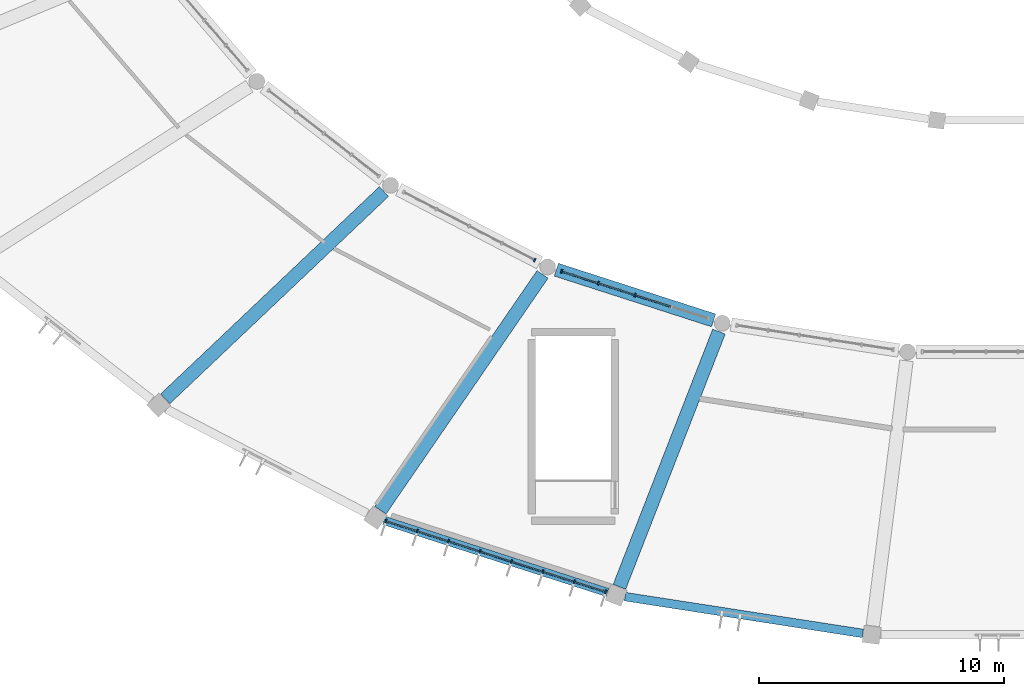
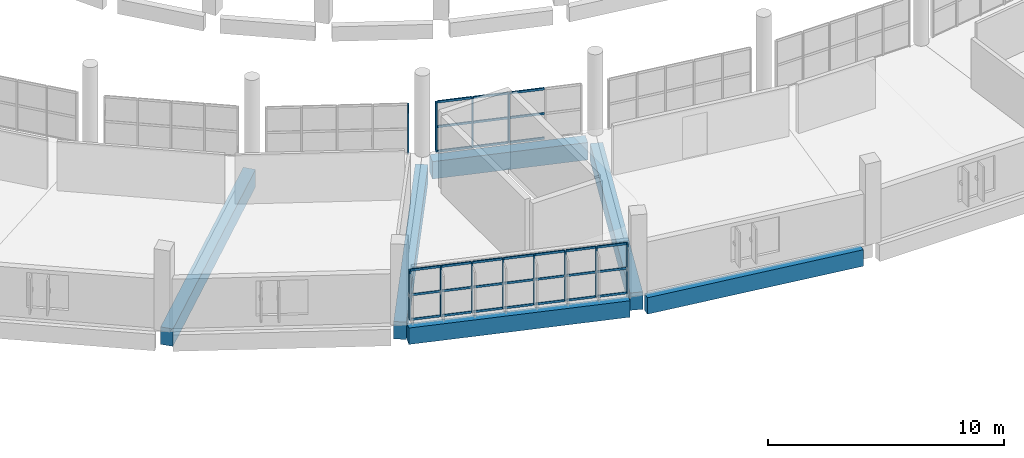
# One storey, part 12 of 142: 42 members, 6 beams, 3 elements without a shape of their own.
"""IFC4 building model written with IfcOpenShell, lengths in metres."""

import ifcopenshell
import ifcopenshell.guid

model = None  # the IFC model being written
_history = None  # IfcOwnerHistory: only IFC2X3 demands one
_inside = {}  # id of a spatial element -> (the spatial element, [elements in it])
_under = {}  # id of a project, library or spatial element -> (it, [spatial elements below it])
_declared = {}  # id of a project -> (the project, [libraries it declares])
_typed = {}  # id of a type object -> (the type object, [elements of that type])
_made_of = {}  # id of a material, layer set ... -> (it, [elements and type objects made of it])


def new_model(schema):
    """Start an empty IFC model of exactly this schema.

    Asked for "IFC4X3", IfcOpenShell would pick the latest addendum, in which some entities
    have other attributes; the version numbers below select the first issue.
    IFC2X3 requires an IfcOwnerHistory on every rooted entity: one is made here for all.
    """
    global model, _history
    if schema == "IFC4X3":
        model = ifcopenshell.file(schema_version=(4, 3, 0, 0))
    else:
        model = ifcopenshell.file(schema=schema)
    _inside.clear()
    _under.clear()
    _declared.clear()
    _typed.clear()
    _made_of.clear()
    _history = None
    if model.schema == "IFC2X3":
        org = make("IfcOrganization", Name="unknown")
        user = make(
            "IfcPersonAndOrganization",
            ThePerson=make("IfcPerson", FamilyName="unknown"),
            TheOrganization=org,
        )
        app = make(
            "IfcApplication",
            ApplicationDeveloper=org,
            Version="unknown",
            ApplicationFullName="unknown",
            ApplicationIdentifier="unknown",
        )
        _history = make(
            "IfcOwnerHistory",
            OwningUser=user,
            OwningApplication=app,
            ChangeAction="ADDED",
            CreationDate=0,
        )
    return model


def make(cls, **values):
    """One entity of the class cls with the attributes given. An attribute that is None is left unset."""
    return model.create_entity(
        cls, **{name: value for name, value in values.items() if value is not None}
    )


def rooted(cls, **values):
    """An entity with a GlobalId (a new one), such as an element, a storey or a relation."""
    return make(cls, GlobalId=ifcopenshell.guid.new(), OwnerHistory=_history, **values)


def si_unit(unit_type, name, prefix=None):
    """IfcSIUnit, for example si_unit("LENGTHUNIT", "METRE", prefix="MILLI")."""
    return make("IfcSIUnit", UnitType=unit_type, Prefix=prefix, Name=name)


def assignment(units):
    """IfcUnitAssignment: the units of a project."""
    return None if units is None else make("IfcUnitAssignment", Units=units)


def point(xyz):
    """IfcCartesianPoint."""
    return None if xyz is None else make("IfcCartesianPoint", Coordinates=xyz)


def direction(xyz):
    """IfcDirection."""
    return None if xyz is None else make("IfcDirection", DirectionRatios=xyz)


def frame(location, z_axis=None, x_axis=None):
    """IfcAxis2Placement3D, a coordinate frame: its origin and axes. An axis left out is left unset."""
    return make(
        "IfcAxis2Placement3D",
        Location=point(location),
        Axis=direction(z_axis),
        RefDirection=direction(x_axis),
    )


def frame_2d(location, x_axis=None):
    """IfcAxis2Placement2D, a coordinate frame in the plane: its origin and x axis."""
    return make(
        "IfcAxis2Placement2D", Location=point(location), RefDirection=direction(x_axis)
    )


def origin():
    """The frame at (0, 0, 0) with its axes left unset."""
    return frame((0.0, 0.0, 0.0))


def origin_2d():
    """The frame at (0, 0) in the plane with its x axis left unset."""
    return frame_2d((0.0, 0.0))


def place(relative_to, where):
    """IfcLocalPlacement: puts the frame where relative to a parent placement (None: the world)."""
    return make(
        "IfcLocalPlacement", PlacementRelTo=relative_to, RelativePlacement=where
    )


def context(
    kind, dimensions, precision=None, world=None, true_north=None, identifier=None
):
    """IfcGeometricRepresentationContext, for example the 3D "Model" context."""
    return make(
        "IfcGeometricRepresentationContext",
        ContextIdentifier=identifier,
        ContextType=kind,
        CoordinateSpaceDimension=dimensions,
        Precision=precision,
        WorldCoordinateSystem=world,
        TrueNorth=true_north,
    )


def subcontext(parent, identifier, kind, view, scale=None):
    """IfcGeometricRepresentationSubContext, for example "Body" below "Model"."""
    return make(
        "IfcGeometricRepresentationSubContext",
        ContextIdentifier=identifier,
        ContextType=kind,
        ParentContext=parent,
        TargetScale=scale,
        TargetView=view,
    )


def project(units=None, contexts=None):
    """IfcProject with its units and contexts."""
    return rooted(
        "IfcProject",
        Name="project",
        RepresentationContexts=contexts,
        UnitsInContext=assignment(units),
    )


def spatial(cls, under=None, at=None, **own):
    """A site, building, storey or space (cls), placed at a placement, below another one or the project."""
    s = rooted(cls, ObjectPlacement=at, **own)
    if under is not None:
        _under.setdefault(under.id(), (under, []))[1].append(s)
    return s


def profile(cls, at=None, kind="AREA", **sizes):
    """A parametric profile (cls). Its sizes go by their IFC names, for example OverallWidth=200.0."""
    return make(cls, ProfileType=kind, Position=at, **sizes)


def rectangle(**sizes):
    """IfcRectangleProfileDef."""
    return profile("IfcRectangleProfileDef", **sizes)


def extrude(swept, where, along, depth):
    """IfcExtrudedAreaSolid: the profile swept, set in the frame where, extruded along a direction by depth."""
    return make(
        "IfcExtrudedAreaSolid",
        SweptArea=swept,
        Position=where,
        ExtrudedDirection=direction(along),
        Depth=depth,
    )


def shape(context_of_items, identifier, shape_type, items):
    """IfcShapeRepresentation: the items that make up one representation, for example the "Body"."""
    return make(
        "IfcShapeRepresentation",
        ContextOfItems=context_of_items,
        RepresentationIdentifier=identifier,
        RepresentationType=shape_type,
        Items=items,
    )


def material(Name=None, Category=None):
    """IfcMaterial."""
    return make("IfcMaterial", Name=Name, Category=Category)


def layer(
    of_material, thickness, ventilated=None, Name=None, Category=None, Priority=None
):
    """IfcMaterialLayer: one layer of a wall or slab, of a material (None: an air gap)."""
    return make(
        "IfcMaterialLayer",
        Material=of_material,
        LayerThickness=thickness,
        IsVentilated=ventilated,
        Name=Name,
        Category=Category,
        Priority=Priority,
    )


def layer_set(layers, Name=None):
    """IfcMaterialLayerSet."""
    return make("IfcMaterialLayerSet", MaterialLayers=layers, LayerSetName=Name)


def material_profile(
    of_material, cross_section, Name=None, Category=None, Priority=None
):
    """IfcMaterialProfile: a cross section and its material."""
    return make(
        "IfcMaterialProfile",
        Name=Name,
        Material=of_material,
        Profile=cross_section,
        Priority=Priority,
        Category=Category,
    )


def profile_set(profiles, Name=None, composite=None):
    """IfcMaterialProfileSet."""
    return make(
        "IfcMaterialProfileSet",
        Name=Name,
        MaterialProfiles=profiles,
        CompositeProfile=composite,
    )


def made_of(thing, what):
    """Note that an element or type object is made of a material, layer set ...; save() writes the relation."""
    if what is not None:
        _made_of.setdefault(what.id(), (what, []))[1].append(thing)
    return thing


def type_object(cls, material=None, **own):
    """A type object (cls), such as IfcWallType, which elements share."""
    return made_of(rooted(cls, **own), material)


def element(
    cls,
    number,
    at=None,
    inside=None,
    cuts=None,
    type_object=None,
    material=None,
    context=None,
    identifier="Body",
    shape_type=None,
    held_by="IfcProductDefinitionShape",
    body=None,
    shapes=None,
    **own,
):
    """One element of the class cls, such as IfcWall. Its Tag is "e" and its number.

    at: its placement. inside: the storey or other place that contains it. cuts: it is an
    opening in that element (IfcRelVoidsElement). A single representation is given by context,
    identifier, shape_type and body (its items); several are given by shapes. held_by: the class
    of the entity that holds the representations. save() writes the other relations.
    """
    e = rooted(cls, Tag="e%d" % number, ObjectPlacement=at, **own)
    if body is not None:
        shapes = [shape(context, identifier, shape_type, body)]
    if shapes is not None:
        e.Representation = make(held_by, Representations=shapes)
    if inside is not None:
        _inside.setdefault(inside.id(), (inside, []))[1].append(e)
    if cuts is not None:
        rooted(
            "IfcRelVoidsElement", RelatingBuildingElement=cuts, RelatedOpeningElement=e
        )
    if type_object is not None:
        _typed.setdefault(type_object.id(), (type_object, []))[1].append(e)
    return made_of(e, material)


def aggregate(whole, parts):
    """IfcRelAggregates: a whole, such as a stair, and the parts it consists of."""
    return rooted("IfcRelAggregates", RelatingObject=whole, RelatedObjects=parts)


def save(model, path):
    """Write the relations noted so far, then the file.

    IfcRelAggregates (storeys below a building ...), IfcRelContainedInSpatialStructure (elements
    in a storey), IfcRelDefinesByType, IfcRelAssociatesMaterial and IfcRelDeclares: one each for
    every whole, place, type object, material and project.
    """
    for whole, parts in _under.values():
        aggregate(whole, parts)
    for where, things in _inside.values():
        rooted(
            "IfcRelContainedInSpatialStructure",
            RelatedElements=things,
            RelatingStructure=where,
        )
    for kind, things in _typed.values():
        rooted("IfcRelDefinesByType", RelatedObjects=things, RelatingType=kind)
    for what, things in _made_of.values():
        rooted("IfcRelAssociatesMaterial", RelatedObjects=things, RelatingMaterial=what)
    for by, libraries in _declared.values():
        rooted("IfcRelDeclares", RelatingContext=by, RelatedDefinitions=libraries)
    model.write(path)


model = new_model("IFC4")

# Units and contexts
model_context = context("Model", 3, precision=1e-05, world=origin(), true_north=direction((0.0, 1.0)))
body_context = subcontext(model_context, "Body", "Model", "MODEL_VIEW")
ifc_project = project(units=[si_unit("LENGTHUNIT", "METRE"), si_unit("AREAUNIT", "SQUARE_METRE"), si_unit("VOLUMEUNIT", "CUBIC_METRE"), si_unit("PLANEANGLEUNIT", "RADIAN"), si_unit("MASSUNIT", "GRAM", prefix="KILO")], contexts=[model_context])

# Site, building, storey
site_placement = place(None, origin())
site = spatial("IfcSite", under=ifc_project, at=site_placement, CompositionType="ELEMENT")
building_placement = place(site_placement, origin())
building = spatial("IfcBuilding", under=site, at=building_placement, Name="Corvandel Quay Wholesale Market", CompositionType="ELEMENT")
storey_placement = place(building_placement, frame((0.0, 0.0, 10.800048828125)))
storey = spatial("IfcBuildingStorey", under=building, at=storey_placement, Name="L02", CompositionType="ELEMENT", Elevation=10.800048828125)

# Curtain wall, member
ifc_material_1 = material(Name="Bronze anodised aluminium and low-E insulated glazing", Category="aluminium")
ifc_layer_1 = layer(ifc_material_1, 0.197998046875)
ifc_layer_set_1 = layer_set([ifc_layer_1], Name="Bronze anodised aluminium and low-E insulated glazing")
curtain_wall_type_1 = type_object("IfcCurtainWallType", Name="Stick Curtain Wall System CW14 H4260", PredefinedType="NOTDEFINED", material=ifc_layer_set_1)
curtain_wall_1_placement = place(storey_placement, origin())
curtain_wall_1 = element("IfcCurtainWall", 1, at=curtain_wall_1_placement, inside=storey, type_object=curtain_wall_type_1, Name="Curtain Wall CW-0062", PredefinedType="NOTDEFINED")
ifc_material_2 = material(Name="Anodised aluminium 6063-T6", Category="aluminium")
ifc_material_profile_1 = material_profile(ifc_material_2, rectangle(XDim=0.06494140625, YDim=0.14990234375, at=origin_2d()), Name="ALU-MUL-65x150")
ifc_profile_set_1 = profile_set([ifc_material_profile_1], Name="Anodised aluminium 6063-T6")
member_type_1 = type_object("IfcMemberType", Name="Curtain Wall Mullion ML02 65x150", PredefinedType="MULLION", material=ifc_profile_set_1)
member_1_placement = place(storey_placement, frame((94.923583984375, 15.29248046875, 0.0), z_axis=(0.0, 0.0, 1.0), x_axis=(-0.887332978338, 0.461129250378, 0.0)))
member_1 = element("IfcMember", 2, at=member_1_placement, type_object=member_type_1, Name="Mullion CW-0062-M04", PredefinedType="MULLION", context=body_context, shape_type="SweptSolid", body=[
    extrude(rectangle(XDim=0.06494140625, YDim=0.14990234375, at=origin_2d()), origin(), (0.0, 0.0, 1.0), 2.550048828125),
])
aggregate(curtain_wall_1, [member_1])

# Curtain wall, members
ifc_layer_2 = layer(ifc_material_1, 0.174072265625)
ifc_layer_set_2 = layer_set([ifc_layer_2], Name="Bronze anodised aluminium and low-E insulated glazing")
curtain_wall_type_2 = type_object("IfcCurtainWallType", Name="Stick Curtain Wall System CW02 H3180", PredefinedType="NOTDEFINED", material=ifc_layer_set_2)
curtain_wall_2_placement = place(storey_placement, origin())
curtain_wall_2 = element("IfcCurtainWall", 3, at=curtain_wall_2_placement, inside=storey, type_object=curtain_wall_type_2, Name="Curtain Wall CW-0063", PredefinedType="NOTDEFINED")
member_2_placement = place(storey_placement, frame((88.849365234375, 4.64208984375, 0.0), z_axis=(0.0, 0.0, 1.0), x_axis=(-0.951808747363, 0.306692204733, 0.0)))
member_2 = element("IfcMember", 4, at=member_2_placement, type_object=member_type_1, Name="Mullion CW-0063-M00", PredefinedType="MULLION", context=body_context, shape_type="SweptSolid", body=[
    extrude(rectangle(XDim=0.06494140625, YDim=0.14990234375, at=origin_2d()), origin(), (0.0, 0.0, 1.0), 2.550048828125),
])
member_3_placement = place(storey_placement, frame((90.130859375, 4.22900390625, 0.0), z_axis=(0.0, 0.0, 1.0), x_axis=(-0.951808747363, 0.306692204733, 0.0)))
member_3 = element("IfcMember", 5, at=member_3_placement, type_object=member_type_1, Name="Mullion CW-0063-M01", PredefinedType="MULLION", context=body_context, shape_type="SweptSolid", body=[
    extrude(rectangle(XDim=0.06494140625, YDim=0.14990234375, at=origin_2d()), origin(), (0.0, 0.0, 1.0), 2.550048828125),
])
member_4_placement = place(storey_placement, frame((91.41259765625, 3.81640625, 0.0), z_axis=(0.0, 0.0, 1.0), x_axis=(-0.951808747363, 0.306692204733, 0.0)))
member_4 = element("IfcMember", 6, at=member_4_placement, type_object=member_type_1, Name="Mullion CW-0063-M02", PredefinedType="MULLION", context=body_context, shape_type="SweptSolid", body=[
    extrude(rectangle(XDim=0.06494140625, YDim=0.14990234375, at=origin_2d()), origin(), (0.0, 0.0, 1.0), 2.550048828125),
])
member_5_placement = place(storey_placement, frame((92.694091796875, 3.4033203125, 0.0), z_axis=(0.0, 0.0, 1.0), x_axis=(-0.951808747363, 0.306692204733, 0.0)))
member_5 = element("IfcMember", 7, at=member_5_placement, type_object=member_type_1, Name="Mullion CW-0063-M03", PredefinedType="MULLION", context=body_context, shape_type="SweptSolid", body=[
    extrude(rectangle(XDim=0.06494140625, YDim=0.14990234375, at=origin_2d()), origin(), (0.0, 0.0, 1.0), 2.550048828125),
])
member_6_placement = place(storey_placement, frame((93.975830078125, 2.990478515625, 0.0), z_axis=(0.0, 0.0, 1.0), x_axis=(-0.951808747363, 0.306692204733, 0.0)))
member_6 = element("IfcMember", 8, at=member_6_placement, type_object=member_type_1, Name="Mullion CW-0063-M04", PredefinedType="MULLION", context=body_context, shape_type="SweptSolid", body=[
    extrude(rectangle(XDim=0.06494140625, YDim=0.14990234375, at=origin_2d()), origin(), (0.0, 0.0, 1.0), 2.550048828125),
])
member_7_placement = place(storey_placement, frame((95.25732421875, 2.57763671875, 0.0), z_axis=(0.0, 0.0, 1.0), x_axis=(-0.951808747363, 0.306692204733, 0.0)))
member_7 = element("IfcMember", 9, at=member_7_placement, type_object=member_type_1, Name="Mullion CW-0063-M05", PredefinedType="MULLION", context=body_context, shape_type="SweptSolid", body=[
    extrude(rectangle(XDim=0.06494140625, YDim=0.14990234375, at=origin_2d()), origin(), (0.0, 0.0, 1.0), 2.550048828125),
])
member_8_placement = place(storey_placement, frame((96.5390625, 2.164794921875, 0.0), z_axis=(0.0, 0.0, 1.0), x_axis=(-0.951808747363, 0.306692204733, 0.0)))
member_8 = element("IfcMember", 10, at=member_8_placement, type_object=member_type_1, Name="Mullion CW-0063-M06", PredefinedType="MULLION", context=body_context, shape_type="SweptSolid", body=[
    extrude(rectangle(XDim=0.06494140625, YDim=0.14990234375, at=origin_2d()), origin(), (0.0, 0.0, 1.0), 2.550048828125),
])
member_9_placement = place(storey_placement, frame((97.82080078125, 1.751953125, 0.0), z_axis=(0.0, 0.0, 1.0), x_axis=(-0.951808747363, 0.306692204733, 0.0)))
member_9 = element("IfcMember", 11, at=member_9_placement, type_object=member_type_1, Name="Mullion CW-0063-M07", PredefinedType="MULLION", context=body_context, shape_type="SweptSolid", body=[
    extrude(rectangle(XDim=0.06494140625, YDim=0.14990234375, at=origin_2d()), origin(), (0.0, 0.0, 1.0), 2.550048828125),
])

ifc_layer_3 = layer(ifc_material_1, 0.14990234375)
ifc_layer_set_3 = layer_set([ifc_layer_3], Name="Bronze anodised aluminium and low-E insulated glazing")
curtain_wall_type_3 = type_object("IfcCurtainWallType", Name="Stick Curtain Wall System CW15 H4350", PredefinedType="NOTDEFINED", material=ifc_layer_set_3)
curtain_wall_3_placement = place(storey_placement, origin())
curtain_wall_3 = element("IfcCurtainWall", 12, at=curtain_wall_3_placement, inside=storey, type_object=curtain_wall_type_3, Name="Curtain Wall CW-0065", PredefinedType="NOTDEFINED")
member_10_placement = place(storey_placement, frame((96.027099609375, 14.83203125, 0.0), z_axis=(0.0, 0.0, 1.0), x_axis=(-0.951808747363, 0.306692204733, 0.0)))
member_10 = element("IfcMember", 13, at=member_10_placement, type_object=member_type_1, Name="Mullion CW-0065-M00", PredefinedType="MULLION", context=body_context, shape_type="SweptSolid", body=[
    extrude(rectangle(XDim=0.06494140625, YDim=0.14990234375, at=origin_2d()), origin(), (0.0, 0.0, 1.0), 2.550048828125),
])
member_11_placement = place(storey_placement, frame((97.5224609375, 14.35009765625, 0.0), z_axis=(0.0, 0.0, 1.0), x_axis=(-0.951808747363, 0.306692204733, 0.0)))
member_11 = element("IfcMember", 14, at=member_11_placement, type_object=member_type_1, Name="Mullion CW-0065-M01", PredefinedType="MULLION", context=body_context, shape_type="SweptSolid", body=[
    extrude(rectangle(XDim=0.06494140625, YDim=0.14990234375, at=origin_2d()), origin(), (0.0, 0.0, 1.0), 2.550048828125),
])
member_12_placement = place(storey_placement, frame((99.01806640625, 13.867919921875, 0.0), z_axis=(0.0, 0.0, 1.0), x_axis=(-0.951808747363, 0.306692204733, 0.0)))
member_12 = element("IfcMember", 15, at=member_12_placement, type_object=member_type_1, Name="Mullion CW-0065-M02", PredefinedType="MULLION", context=body_context, shape_type="SweptSolid", body=[
    extrude(rectangle(XDim=0.06494140625, YDim=0.14990234375, at=origin_2d()), origin(), (0.0, 0.0, 1.0), 2.550048828125),
])

# Member
ifc_material_profile_2 = material_profile(ifc_material_2, rectangle(XDim=0.06005859375, YDim=0.110107421875, at=origin_2d()), Name="ALU-TRN-60x110")
ifc_profile_set_2 = profile_set([ifc_material_profile_2], Name="Anodised aluminium 6063-T6")
member_type_2 = type_object("IfcMemberType", Name="Curtain Wall Transom TR02 60x110", PredefinedType="USERDEFINED", material=ifc_profile_set_2)
member_13_placement = place(storey_placement, frame((88.880126953125, 4.632080078125, 0.0), z_axis=(0.951816275038, -0.306668841867, 0.0), x_axis=(0.306668841867, 0.951816275038, 0.0)))
member_13 = element("IfcMember", 16, at=member_13_placement, type_object=member_type_2, Name="Transom CW-0063-T00-0", ObjectType="TRANSOM", PredefinedType="USERDEFINED", context=body_context, shape_type="SweptSolid", body=[
    extrude(rectangle(XDim=0.06005859375, YDim=0.110107421875, at=origin_2d()), origin(), (0.0, 0.0, 1.0), 1.28173828125),
])

member_14_placement = place(storey_placement, frame((88.880126953125, 4.632080078125, 1.27490234375), z_axis=(0.951816275038, -0.306668841867, 0.0), x_axis=(0.306668841867, 0.951816275038, 0.0)))
member_14 = element("IfcMember", 17, at=member_14_placement, type_object=member_type_2, Name="Transom CW-0063-T00-1", ObjectType="TRANSOM", PredefinedType="USERDEFINED", context=body_context, shape_type="SweptSolid", body=[
    extrude(rectangle(XDim=0.06005859375, YDim=0.110107421875, at=origin_2d()), origin(), (0.0, 0.0, 1.0), 1.28173828125),
])

member_15_placement = place(storey_placement, frame((88.880126953125, 4.632080078125, 2.550048828125), z_axis=(0.951816275038, -0.306668841867, 0.0), x_axis=(0.306668841867, 0.951816275038, 0.0)))
member_15 = element("IfcMember", 18, at=member_15_placement, type_object=member_type_2, Name="Transom CW-0063-T00-2", ObjectType="TRANSOM", PredefinedType="USERDEFINED", context=body_context, shape_type="SweptSolid", body=[
    extrude(rectangle(XDim=0.06005859375, YDim=0.110107421875, at=origin_2d()), origin(), (0.0, 0.0, 1.0), 1.28173828125),
])

member_16_placement = place(storey_placement, frame((90.161865234375, 4.21923828125, 0.0), z_axis=(0.951853962221, -0.30655184652, 0.0), x_axis=(0.30655184652, 0.951853962221, 0.0)))
member_16 = element("IfcMember", 19, at=member_16_placement, type_object=member_type_2, Name="Transom CW-0063-T01-0", ObjectType="TRANSOM", PredefinedType="USERDEFINED", context=body_context, shape_type="SweptSolid", body=[
    extrude(rectangle(XDim=0.06005859375, YDim=0.110107421875, at=origin_2d()), origin(), (0.0, 0.0, 1.0), 1.281494140625),
])

member_17_placement = place(storey_placement, frame((90.161865234375, 4.21923828125, 1.27490234375), z_axis=(0.951853962221, -0.30655184652, 0.0), x_axis=(0.30655184652, 0.951853962221, 0.0)))
member_17 = element("IfcMember", 20, at=member_17_placement, type_object=member_type_2, Name="Transom CW-0063-T01-1", ObjectType="TRANSOM", PredefinedType="USERDEFINED", context=body_context, shape_type="SweptSolid", body=[
    extrude(rectangle(XDim=0.06005859375, YDim=0.110107421875, at=origin_2d()), origin(), (0.0, 0.0, 1.0), 1.281494140625),
])

member_18_placement = place(storey_placement, frame((90.161865234375, 4.21923828125, 2.550048828125), z_axis=(0.951853962221, -0.30655184652, 0.0), x_axis=(0.30655184652, 0.951853962221, 0.0)))
member_18 = element("IfcMember", 21, at=member_18_placement, type_object=member_type_2, Name="Transom CW-0063-T01-2", ObjectType="TRANSOM", PredefinedType="USERDEFINED", context=body_context, shape_type="SweptSolid", body=[
    extrude(rectangle(XDim=0.06005859375, YDim=0.110107421875, at=origin_2d()), origin(), (0.0, 0.0, 1.0), 1.281494140625),
])

member_19_placement = place(storey_placement, frame((91.443603515625, 3.806396484375, 0.0), z_axis=(0.951798356557, -0.306724450372, 0.0), x_axis=(0.306724450372, 0.951798356557, 0.0)))
member_19 = element("IfcMember", 22, at=member_19_placement, type_object=member_type_2, Name="Transom CW-0063-T02-0", ObjectType="TRANSOM", PredefinedType="USERDEFINED", context=body_context, shape_type="SweptSolid", body=[
    extrude(rectangle(XDim=0.06005859375, YDim=0.110107421875, at=origin_2d()), origin(), (0.0, 0.0, 1.0), 1.281494140625),
])

member_20_placement = place(storey_placement, frame((91.443603515625, 3.806396484375, 1.27490234375), z_axis=(0.951798356557, -0.306724450372, 0.0), x_axis=(0.306724450372, 0.951798356557, 0.0)))
member_20 = element("IfcMember", 23, at=member_20_placement, type_object=member_type_2, Name="Transom CW-0063-T02-1", ObjectType="TRANSOM", PredefinedType="USERDEFINED", context=body_context, shape_type="SweptSolid", body=[
    extrude(rectangle(XDim=0.06005859375, YDim=0.110107421875, at=origin_2d()), origin(), (0.0, 0.0, 1.0), 1.281494140625),
])

member_21_placement = place(storey_placement, frame((91.443603515625, 3.806396484375, 2.550048828125), z_axis=(0.951798356557, -0.306724450372, 0.0), x_axis=(0.306724450372, 0.951798356557, 0.0)))
member_21 = element("IfcMember", 24, at=member_21_placement, type_object=member_type_2, Name="Transom CW-0063-T02-2", ObjectType="TRANSOM", PredefinedType="USERDEFINED", context=body_context, shape_type="SweptSolid", body=[
    extrude(rectangle(XDim=0.06005859375, YDim=0.110107421875, at=origin_2d()), origin(), (0.0, 0.0, 1.0), 1.281494140625),
])

member_22_placement = place(storey_placement, frame((92.72509765625, 3.3935546875, 0.0), z_axis=(0.951798356557, -0.306724450372, 0.0), x_axis=(0.306724450372, 0.951798356557, 0.0)))
member_22 = element("IfcMember", 25, at=member_22_placement, type_object=member_type_2, Name="Transom CW-0063-T03-0", ObjectType="TRANSOM", PredefinedType="USERDEFINED", context=body_context, shape_type="SweptSolid", body=[
    extrude(rectangle(XDim=0.06005859375, YDim=0.110107421875, at=origin_2d()), origin(), (0.0, 0.0, 1.0), 1.281494140625),
])

member_23_placement = place(storey_placement, frame((92.72509765625, 3.3935546875, 1.27490234375), z_axis=(0.951798356557, -0.306724450372, 0.0), x_axis=(0.306724450372, 0.951798356557, 0.0)))
member_23 = element("IfcMember", 26, at=member_23_placement, type_object=member_type_2, Name="Transom CW-0063-T03-1", ObjectType="TRANSOM", PredefinedType="USERDEFINED", context=body_context, shape_type="SweptSolid", body=[
    extrude(rectangle(XDim=0.06005859375, YDim=0.110107421875, at=origin_2d()), origin(), (0.0, 0.0, 1.0), 1.281494140625),
])

member_24_placement = place(storey_placement, frame((92.72509765625, 3.3935546875, 2.550048828125), z_axis=(0.951798356557, -0.306724450372, 0.0), x_axis=(0.306724450372, 0.951798356557, 0.0)))
member_24 = element("IfcMember", 27, at=member_24_placement, type_object=member_type_2, Name="Transom CW-0063-T03-2", ObjectType="TRANSOM", PredefinedType="USERDEFINED", context=body_context, shape_type="SweptSolid", body=[
    extrude(rectangle(XDim=0.06005859375, YDim=0.110107421875, at=origin_2d()), origin(), (0.0, 0.0, 1.0), 1.281494140625),
])

member_25_placement = place(storey_placement, frame((94.006591796875, 2.980712890625, 0.0), z_axis=(0.951816275038, -0.306668841867, 0.0), x_axis=(0.306668841867, 0.951816275038, 0.0)))
member_25 = element("IfcMember", 28, at=member_25_placement, type_object=member_type_2, Name="Transom CW-0063-T04-0", ObjectType="TRANSOM", PredefinedType="USERDEFINED", context=body_context, shape_type="SweptSolid", body=[
    extrude(rectangle(XDim=0.06005859375, YDim=0.110107421875, at=origin_2d()), origin(), (0.0, 0.0, 1.0), 1.28173828125),
])

member_26_placement = place(storey_placement, frame((94.006591796875, 2.980712890625, 1.27490234375), z_axis=(0.951816275038, -0.306668841867, 0.0), x_axis=(0.306668841867, 0.951816275038, 0.0)))
member_26 = element("IfcMember", 29, at=member_26_placement, type_object=member_type_2, Name="Transom CW-0063-T04-1", ObjectType="TRANSOM", PredefinedType="USERDEFINED", context=body_context, shape_type="SweptSolid", body=[
    extrude(rectangle(XDim=0.06005859375, YDim=0.110107421875, at=origin_2d()), origin(), (0.0, 0.0, 1.0), 1.28173828125),
])

member_27_placement = place(storey_placement, frame((94.006591796875, 2.980712890625, 2.550048828125), z_axis=(0.951816275038, -0.306668841867, 0.0), x_axis=(0.306668841867, 0.951816275038, 0.0)))
member_27 = element("IfcMember", 30, at=member_27_placement, type_object=member_type_2, Name="Transom CW-0063-T04-2", ObjectType="TRANSOM", PredefinedType="USERDEFINED", context=body_context, shape_type="SweptSolid", body=[
    extrude(rectangle(XDim=0.06005859375, YDim=0.110107421875, at=origin_2d()), origin(), (0.0, 0.0, 1.0), 1.28173828125),
])

member_28_placement = place(storey_placement, frame((95.288330078125, 2.567626953125, 0.0), z_axis=(0.951853962221, -0.30655184652, 0.0), x_axis=(0.30655184652, 0.951853962221, 0.0)))
member_28 = element("IfcMember", 31, at=member_28_placement, type_object=member_type_2, Name="Transom CW-0063-T05-0", ObjectType="TRANSOM", PredefinedType="USERDEFINED", context=body_context, shape_type="SweptSolid", body=[
    extrude(rectangle(XDim=0.06005859375, YDim=0.110107421875, at=origin_2d()), origin(), (0.0, 0.0, 1.0), 1.281494140625),
])

member_29_placement = place(storey_placement, frame((95.288330078125, 2.567626953125, 1.27490234375), z_axis=(0.951853962221, -0.30655184652, 0.0), x_axis=(0.30655184652, 0.951853962221, 0.0)))
member_29 = element("IfcMember", 32, at=member_29_placement, type_object=member_type_2, Name="Transom CW-0063-T05-1", ObjectType="TRANSOM", PredefinedType="USERDEFINED", context=body_context, shape_type="SweptSolid", body=[
    extrude(rectangle(XDim=0.06005859375, YDim=0.110107421875, at=origin_2d()), origin(), (0.0, 0.0, 1.0), 1.281494140625),
])

member_30_placement = place(storey_placement, frame((95.288330078125, 2.567626953125, 2.550048828125), z_axis=(0.951853962221, -0.30655184652, 0.0), x_axis=(0.30655184652, 0.951853962221, 0.0)))
member_30 = element("IfcMember", 33, at=member_30_placement, type_object=member_type_2, Name="Transom CW-0063-T05-2", ObjectType="TRANSOM", PredefinedType="USERDEFINED", context=body_context, shape_type="SweptSolid", body=[
    extrude(rectangle(XDim=0.06005859375, YDim=0.110107421875, at=origin_2d()), origin(), (0.0, 0.0, 1.0), 1.281494140625),
])

member_31_placement = place(storey_placement, frame((96.570068359375, 2.15478515625, 0.0), z_axis=(0.951853962221, -0.30655184652, 0.0), x_axis=(0.30655184652, 0.951853962221, 0.0)))
member_31 = element("IfcMember", 34, at=member_31_placement, type_object=member_type_2, Name="Transom CW-0063-T06-0", ObjectType="TRANSOM", PredefinedType="USERDEFINED", context=body_context, shape_type="SweptSolid", body=[
    extrude(rectangle(XDim=0.06005859375, YDim=0.110107421875, at=origin_2d()), origin(), (0.0, 0.0, 1.0), 1.281494140625),
])

member_32_placement = place(storey_placement, frame((96.570068359375, 2.15478515625, 1.27490234375), z_axis=(0.951853962221, -0.30655184652, 0.0), x_axis=(0.30655184652, 0.951853962221, 0.0)))
member_32 = element("IfcMember", 35, at=member_32_placement, type_object=member_type_2, Name="Transom CW-0063-T06-1", ObjectType="TRANSOM", PredefinedType="USERDEFINED", context=body_context, shape_type="SweptSolid", body=[
    extrude(rectangle(XDim=0.06005859375, YDim=0.110107421875, at=origin_2d()), origin(), (0.0, 0.0, 1.0), 1.281494140625),
])

member_33_placement = place(storey_placement, frame((96.570068359375, 2.15478515625, 2.550048828125), z_axis=(0.951853962221, -0.30655184652, 0.0), x_axis=(0.30655184652, 0.951853962221, 0.0)))
member_33 = element("IfcMember", 36, at=member_33_placement, type_object=member_type_2, Name="Transom CW-0063-T06-2", ObjectType="TRANSOM", PredefinedType="USERDEFINED", context=body_context, shape_type="SweptSolid", body=[
    extrude(rectangle(XDim=0.06005859375, YDim=0.110107421875, at=origin_2d()), origin(), (0.0, 0.0, 1.0), 1.281494140625),
])

aggregate(curtain_wall_2, [member_2, member_3, member_4, member_5, member_6, member_7, member_8, member_9, member_13, member_14, member_15, member_16, member_17, member_18, member_19, member_20, member_21, member_22, member_23, member_24, member_25, member_26, member_27, member_28, member_29, member_30, member_31, member_32, member_33])

member_34_placement = place(storey_placement, frame((96.05810546875, 14.822021484375, 0.0), z_axis=(0.951812449712, -0.306680714383, 0.0), x_axis=(0.306680714383, 0.951812449712, 0.0)))
member_34 = element("IfcMember", 37, at=member_34_placement, type_object=member_type_2, Name="Transom CW-0065-T00-0", ObjectType="TRANSOM", PredefinedType="USERDEFINED", context=body_context, shape_type="SweptSolid", body=[
    extrude(rectangle(XDim=0.06005859375, YDim=0.110107421875, at=origin_2d()), origin(), (0.0, 0.0, 1.0), 1.506103515625),
])

member_35_placement = place(storey_placement, frame((96.05810546875, 14.822021484375, 1.27490234375), z_axis=(0.951812449712, -0.306680714383, 0.0), x_axis=(0.306680714383, 0.951812449712, 0.0)))
member_35 = element("IfcMember", 38, at=member_35_placement, type_object=member_type_2, Name="Transom CW-0065-T00-1", ObjectType="TRANSOM", PredefinedType="USERDEFINED", context=body_context, shape_type="SweptSolid", body=[
    extrude(rectangle(XDim=0.06005859375, YDim=0.110107421875, at=origin_2d()), origin(), (0.0, 0.0, 1.0), 1.506103515625),
])

member_36_placement = place(storey_placement, frame((96.05810546875, 14.822021484375, 2.550048828125), z_axis=(0.951812449712, -0.306680714383, 0.0), x_axis=(0.306680714383, 0.951812449712, 0.0)))
member_36 = element("IfcMember", 39, at=member_36_placement, type_object=member_type_2, Name="Transom CW-0065-T00-2", ObjectType="TRANSOM", PredefinedType="USERDEFINED", context=body_context, shape_type="SweptSolid", body=[
    extrude(rectangle(XDim=0.06005859375, YDim=0.110107421875, at=origin_2d()), origin(), (0.0, 0.0, 1.0), 1.506103515625),
])

member_37_placement = place(storey_placement, frame((97.553466796875, 14.340087890625, 0.0), z_axis=(0.951765125265, -0.306827551452, 0.0), x_axis=(0.306827551452, 0.951765125265, 0.0)))
member_37 = element("IfcMember", 40, at=member_37_placement, type_object=member_type_2, Name="Transom CW-0065-T01-0", ObjectType="TRANSOM", PredefinedType="USERDEFINED", context=body_context, shape_type="SweptSolid", body=[
    extrude(rectangle(XDim=0.06005859375, YDim=0.110107421875, at=origin_2d()), origin(), (0.0, 0.0, 1.0), 1.50634765625),
])

member_38_placement = place(storey_placement, frame((97.553466796875, 14.340087890625, 1.27490234375), z_axis=(0.951765125265, -0.306827551452, 0.0), x_axis=(0.306827551452, 0.951765125265, 0.0)))
member_38 = element("IfcMember", 41, at=member_38_placement, type_object=member_type_2, Name="Transom CW-0065-T01-1", ObjectType="TRANSOM", PredefinedType="USERDEFINED", context=body_context, shape_type="SweptSolid", body=[
    extrude(rectangle(XDim=0.06005859375, YDim=0.110107421875, at=origin_2d()), origin(), (0.0, 0.0, 1.0), 1.50634765625),
])

member_39_placement = place(storey_placement, frame((97.553466796875, 14.340087890625, 2.550048828125), z_axis=(0.951765125265, -0.306827551452, 0.0), x_axis=(0.306827551452, 0.951765125265, 0.0)))
member_39 = element("IfcMember", 42, at=member_39_placement, type_object=member_type_2, Name="Transom CW-0065-T01-2", ObjectType="TRANSOM", PredefinedType="USERDEFINED", context=body_context, shape_type="SweptSolid", body=[
    extrude(rectangle(XDim=0.06005859375, YDim=0.110107421875, at=origin_2d()), origin(), (0.0, 0.0, 1.0), 1.50634765625),
])

member_40_placement = place(storey_placement, frame((99.048828125, 13.85791015625, 0.0), z_axis=(0.951812449712, -0.306680714383, 0.0), x_axis=(0.306680714383, 0.951812449712, 0.0)))
member_40 = element("IfcMember", 43, at=member_40_placement, type_object=member_type_2, Name="Transom CW-0065-T02-0", ObjectType="TRANSOM", PredefinedType="USERDEFINED", context=body_context, shape_type="SweptSolid", body=[
    extrude(rectangle(XDim=0.06005859375, YDim=0.110107421875, at=origin_2d()), origin(), (0.0, 0.0, 1.0), 1.506103515625),
])

member_41_placement = place(storey_placement, frame((99.048828125, 13.85791015625, 1.27490234375), z_axis=(0.951812449712, -0.306680714383, 0.0), x_axis=(0.306680714383, 0.951812449712, 0.0)))
member_41 = element("IfcMember", 44, at=member_41_placement, type_object=member_type_2, Name="Transom CW-0065-T02-1", ObjectType="TRANSOM", PredefinedType="USERDEFINED", context=body_context, shape_type="SweptSolid", body=[
    extrude(rectangle(XDim=0.06005859375, YDim=0.110107421875, at=origin_2d()), origin(), (0.0, 0.0, 1.0), 1.506103515625),
])

member_42_placement = place(storey_placement, frame((99.048828125, 13.85791015625, 2.550048828125), z_axis=(0.951812449712, -0.306680714383, 0.0), x_axis=(0.306680714383, 0.951812449712, 0.0)))
member_42 = element("IfcMember", 45, at=member_42_placement, type_object=member_type_2, Name="Transom CW-0065-T02-2", ObjectType="TRANSOM", PredefinedType="USERDEFINED", context=body_context, shape_type="SweptSolid", body=[
    extrude(rectangle(XDim=0.06005859375, YDim=0.110107421875, at=origin_2d()), origin(), (0.0, 0.0, 1.0), 1.506103515625),
])

aggregate(curtain_wall_3, [member_10, member_11, member_12, member_34, member_35, member_36, member_37, member_38, member_39, member_40, member_41, member_42])

# Beams
ifc_material_3 = material(Name="Precast concrete C45/55", Category="concrete")
ifc_material_profile_3 = material_profile(ifc_material_3, rectangle(XDim=0.35009765625, YDim=0.85009765625, at=origin_2d()), Name="PC-SPN-350x850")
ifc_profile_set_3 = profile_set([ifc_material_profile_3], Name="Precast concrete C45/55")
beam_type_1 = type_object("IfcBeamType", Name="Perimeter Precast Spandrel SP01 350x850", PredefinedType="SPANDREL", material=ifc_profile_set_3)
beam_1_placement = place(storey_placement, frame((88.773193359375, 4.66650390625, -0.7451171875), z_axis=(0.951833850624, -0.306614286696, 0.0), x_axis=(0.306614286696, 0.951833850624, 0.0)))
element("IfcBeam", 46, at=beam_1_placement, inside=storey, type_object=beam_type_1, Name="Beam BM-0269", PredefinedType="SPANDREL", context=body_context, shape_type="SweptSolid", body=[
    extrude(rectangle(XDim=0.35009765625, YDim=0.85009765625, at=origin_2d()), origin(), (0.0, 0.0, 1.0), 9.585205078125),
])
beam_2_placement = place(storey_placement, frame((98.614501953125, 1.557373046875, -0.7451171875), z_axis=(0.988244555633, -0.152881320838, 0.0), x_axis=(0.152881320838, 0.988244555633, 0.0)))
element("IfcBeam", 47, at=beam_2_placement, inside=storey, type_object=beam_type_1, Name="Beam BM-0281", PredefinedType="SPANDREL", context=body_context, shape_type="SweptSolid", body=[
    extrude(rectangle(XDim=0.35009765625, YDim=0.85009765625, at=origin_2d()), origin(), (0.0, 0.0, 1.0), 9.81640625),
])
ifc_material_profile_4 = material_profile(ifc_material_3, rectangle(XDim=0.550048828125, YDim=0.89990234375, at=origin_2d()), Name="PC-GIR-550x900")
ifc_profile_set_4 = profile_set([ifc_material_profile_4], Name="Precast concrete C45/55")
beam_type_2 = type_object("IfcBeamType", Name="Produce Hall Radial Girder G03 550x900", PredefinedType="USERDEFINED", material=ifc_profile_set_4)
beam_3_placement = place(storey_placement, frame((79.845458984375, 9.630615234375, -0.77001953125), z_axis=(0.725795178722, 0.687910865261, 0.0), x_axis=(-0.687910865261, 0.725795178722, 0.0)))
element("IfcBeam", 48, at=beam_3_placement, inside=storey, type_object=beam_type_2, Name="Beam BM-0261", ObjectType="GIRDER", PredefinedType="USERDEFINED", context=body_context, shape_type="SweptSolid", body=[
    extrude(rectangle(XDim=0.550048828125, YDim=0.89990234375, at=origin_2d()), origin(), (0.0, 0.0, 1.0), 12.30224609375),
])
beam_4_placement = place(storey_placement, frame((95.80810546875, 14.902587890625, -0.77001953125), z_axis=(0.951785347661, -0.306764815418, 0.0), x_axis=(0.306764815418, 0.951785347661, 0.0)))
element("IfcBeam", 49, at=beam_4_placement, inside=storey, type_object=beam_type_2, Name="Beam BM-0270", ObjectType="GIRDER", PredefinedType="USERDEFINED", context=body_context, shape_type="SweptSolid", body=[
    extrude(rectangle(XDim=0.550048828125, YDim=0.89990234375, at=origin_2d()), origin(), (0.0, 0.0, 1.0), 6.744873046875),
])
beam_5_placement = place(storey_placement, frame((88.630615234375, 5.0849609375, -0.77001953125), z_axis=(0.566394866966, 0.824134002863, 0.0), x_axis=(-0.824134002863, 0.566394866966, 0.0)))
element("IfcBeam", 50, at=beam_5_placement, inside=storey, type_object=beam_type_2, Name="Beam BM-0272", ObjectType="GIRDER", PredefinedType="USERDEFINED", context=body_context, shape_type="SweptSolid", body=[
    extrude(rectangle(XDim=0.550048828125, YDim=0.89990234375, at=origin_2d()), origin(), (0.0, 0.0, 1.0), 11.680419921875),
])
beam_6_placement = place(storey_placement, frame((98.38330078125, 1.958740234375, -0.77001953125), z_axis=(0.363331250992, 0.93166002493, 0.0), x_axis=(-0.93166002493, 0.363331250992, 0.0)))
element("IfcBeam", 51, at=beam_6_placement, inside=storey, type_object=beam_type_2, Name="Beam BM-0284", ObjectType="GIRDER", PredefinedType="USERDEFINED", context=body_context, shape_type="SweptSolid", body=[
    extrude(rectangle(XDim=0.550048828125, YDim=0.89990234375, at=origin_2d()), origin(), (0.0, 0.0, 1.0), 11.1806640625),
])

save(model, "model.ifc")
